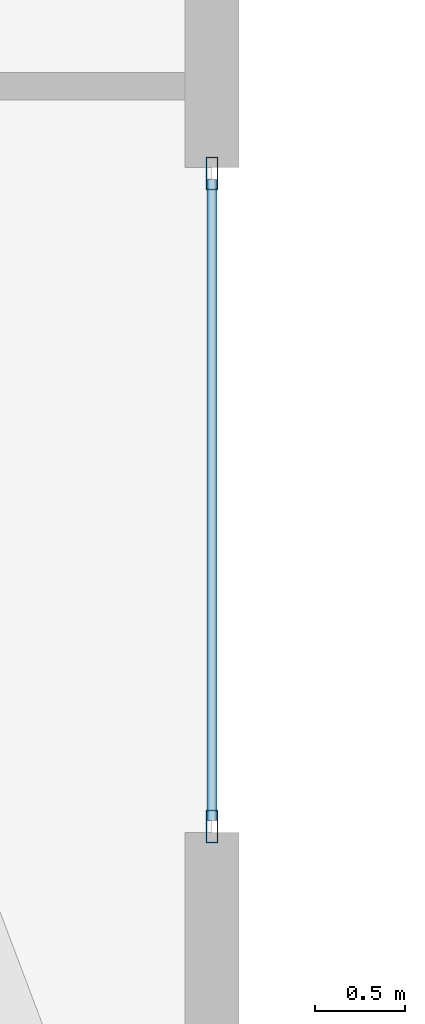
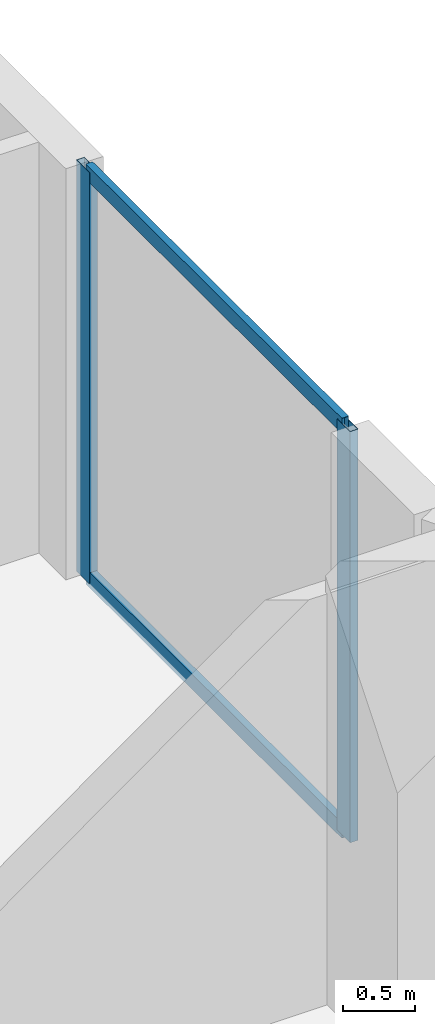
# One storey, part 12 of 23: 4 members, 1 element without a shape of its own.
"""IFC4 building model written with IfcOpenShell, lengths in metres."""

from ifc_helpers import new_model, si_unit, direction, frame, origin, origin_2d, place, context, subcontext, project, spatial, hollow_rectangle, extrude, material, layer, layer_set, material_profile, profile_set, type_object, element, aggregate, save


model = new_model("IFC4")

# Units and contexts
model_context = context("Model", 3, precision=1e-05, world=origin(), true_north=direction((0.0, 1.0)))
body_context = subcontext(model_context, "Body", "Model", "MODEL_VIEW")
ifc_project = project(units=[si_unit("LENGTHUNIT", "METRE"), si_unit("AREAUNIT", "SQUARE_METRE"), si_unit("VOLUMEUNIT", "CUBIC_METRE"), si_unit("PLANEANGLEUNIT", "RADIAN"), si_unit("MASSUNIT", "GRAM", prefix="KILO")], contexts=[model_context])

# Site, building, storey
site_placement = place(None, origin())
site = spatial("IfcSite", under=ifc_project, at=site_placement, CompositionType="ELEMENT")
building_placement = place(site_placement, origin())
building = spatial("IfcBuilding", under=site, at=building_placement, Name="Zuhayl Quay Hotel", CompositionType="ELEMENT")
storey_placement = place(building_placement, frame((0.0, 0.0, 272.949951171875)))
storey = spatial("IfcBuildingStorey", under=building, at=storey_placement, Name="L69", CompositionType="ELEMENT", Elevation=272.949951171875)

# Curtain wall, members
ifc_material_1 = material(Name="Anodised Aluminium 6063-T6", Category="aluminium")
ifc_layer = layer(ifc_material_1, 0.169921875, Name="Anodised Aluminium 6063-T6", Category="aluminium")
ifc_layer_set = layer_set([ifc_layer], Name="Anodised Aluminium 6063-T6")
curtain_wall_type = type_object("IfcCurtainWallType", Name="CW_SYS_Z4", PredefinedType="USERDEFINED", material=ifc_layer_set)
curtain_wall_placement = place(storey_placement, origin())
curtain_wall = element("IfcCurtainWall", 1, at=curtain_wall_placement, inside=storey, type_object=curtain_wall_type, Name="L69 Curtain Wall ENV_L69_E11_CW2", ObjectType="UNITISED CURTAIN WALL", PredefinedType="USERDEFINED")
ifc_material_2 = material(Name="Black-anodised aluminium 6063-T6", Category="aluminium")
ifc_material_profile_1 = material_profile(ifc_material_2, hollow_rectangle(XDim=0.06494140625, YDim=0.179931640625, WallThickness=0.00341796875, at=origin_2d()), Name="ALU180X65")
ifc_profile_set_1 = profile_set([ifc_material_profile_1], Name="Black-anodised aluminium 6063-T6")
member_type_1 = type_object("IfcMemberType", Name="MB_CW_MUL_180", PredefinedType="MULLION", material=ifc_profile_set_1)
member_1_placement = place(storey_placement, frame((20.199951171875, 28.8974609375, 0.0), z_axis=(0.0, 0.0, 1.0), x_axis=(1.0, 0.0, 0.0)))
member_1 = element("IfcMember", 2, at=member_1_placement, type_object=member_type_1, Name="CW-Z4 mullion 1", PredefinedType="MULLION", context=body_context, shape_type="SweptSolid", body=[
    extrude(hollow_rectangle(XDim=0.06494140625, YDim=0.179931640625, WallThickness=0.00341796875, at=origin_2d()), origin(), (0.0, 0.0, 1.0), 3.47998046875),
])
member_2_placement = place(storey_placement, frame((20.199951171875, 25.282470703125, 0.0), z_axis=(0.0, 0.0, 1.0), x_axis=(1.0, 0.0, 0.0)))
member_2 = element("IfcMember", 3, at=member_2_placement, type_object=member_type_1, Name="CW-Z4 mullion 2", PredefinedType="MULLION", context=body_context, shape_type="SweptSolid", body=[
    extrude(hollow_rectangle(XDim=0.06494140625, YDim=0.179931640625, WallThickness=0.00341796875, at=origin_2d()), origin(), (0.0, 0.0, 1.0), 3.47998046875),
])
ifc_material_profile_2 = material_profile(ifc_material_2, hollow_rectangle(XDim=0.054931640625, YDim=0.1298828125, WallThickness=0.0029296875, at=origin_2d()), Name="ALU130X55")
ifc_profile_set_2 = profile_set([ifc_material_profile_2], Name="Black-anodised aluminium 6063-T6")
member_type_2 = type_object("IfcMemberType", Name="MB_CW_TRN_130", PredefinedType="USERDEFINED", material=ifc_profile_set_2)
member_3_placement = place(storey_placement, frame((20.199951171875, 28.864990234375, 0.027587890625), z_axis=(0.0, -1.0, 0.0), x_axis=(1.0, 0.0, 0.0)))
member_3 = element("IfcMember", 4, at=member_3_placement, type_object=member_type_2, Name="CW-Z4 transom 1.1", ObjectType="TRANSOM", PredefinedType="USERDEFINED", context=body_context, shape_type="SweptSolid", body=[
    extrude(hollow_rectangle(XDim=0.054931640625, YDim=0.1298828125, WallThickness=0.0029296875, at=origin_2d()), origin(), (0.0, 0.0, 1.0), 3.550048828125),
])
member_4_placement = place(storey_placement, frame((20.199951171875, 28.864990234375, 3.45263671875), z_axis=(0.0, -1.0, 0.0), x_axis=(1.0, 0.0, 0.0)))
member_4 = element("IfcMember", 5, at=member_4_placement, type_object=member_type_2, Name="CW-Z4 transom 1.2", ObjectType="TRANSOM", PredefinedType="USERDEFINED", context=body_context, shape_type="SweptSolid", body=[
    extrude(hollow_rectangle(XDim=0.054931640625, YDim=0.1298828125, WallThickness=0.0029296875, at=origin_2d()), origin(), (0.0, 0.0, 1.0), 3.550048828125),
])
aggregate(curtain_wall, [member_1, member_2, member_3, member_4])

save(model, "model.ifc")
